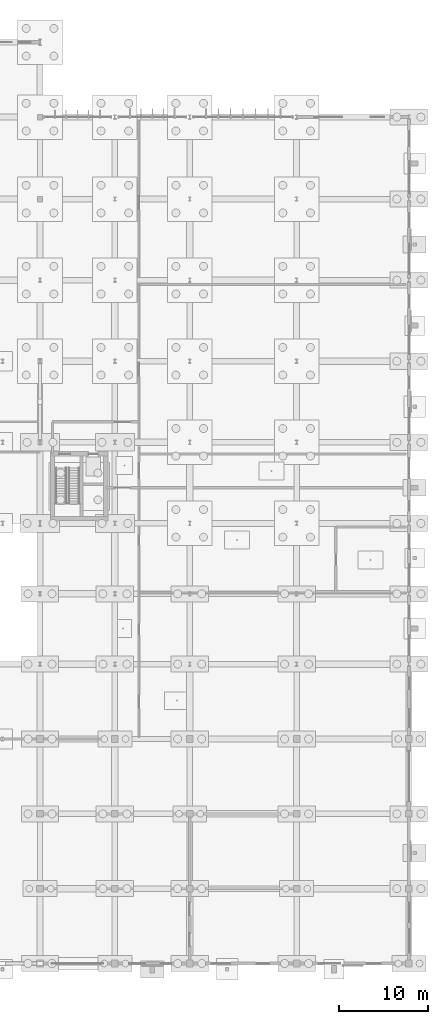
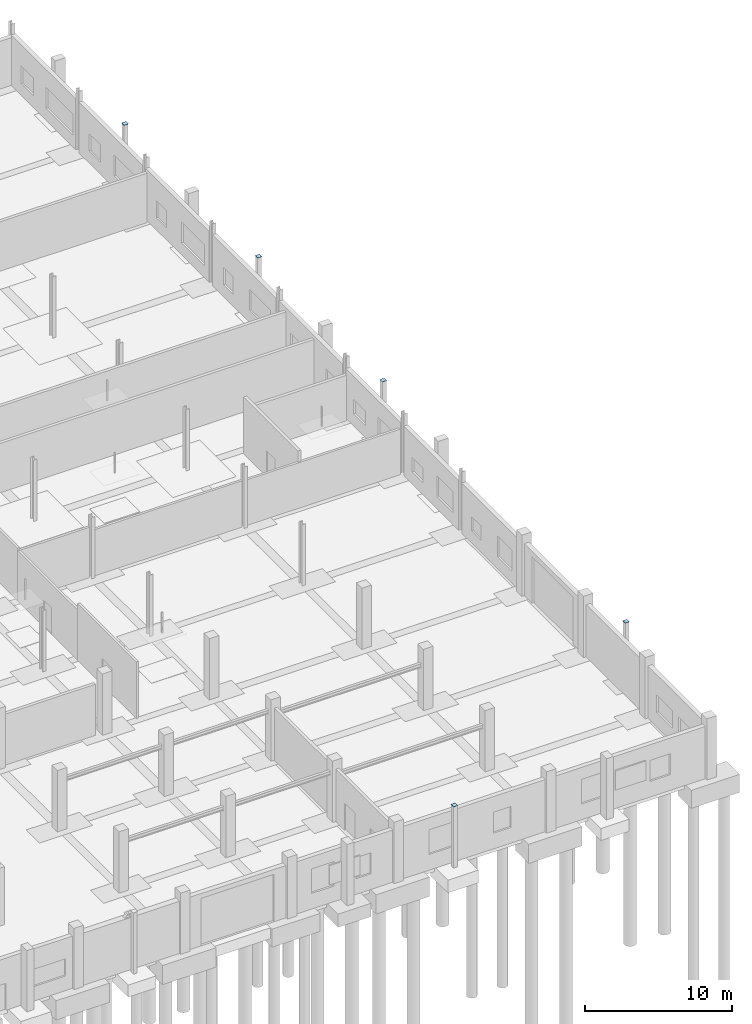
# One storey, part 79 of 119: 5 plates.
"""IFC4 building model written with IfcOpenShell, lengths in metres."""

from ifc_helpers import new_model, si_unit, derived_unit, direction, frame, origin, origin_2d, place, context, subcontext, project, spatial, rectangle, extrude, material, layer, layer_set, type_object, element, save


model = new_model("IFC4")

# Units and contexts
model_context = context("Model", 3, precision=1e-05, world=origin(), true_north=direction((0.0, 1.0)))
body_context = subcontext(model_context, "Body", "Model", "MODEL_VIEW")
ifc_project = project(units=[si_unit("LENGTHUNIT", "METRE"), si_unit("AREAUNIT", "SQUARE_METRE"), si_unit("VOLUMEUNIT", "CUBIC_METRE"), si_unit("PLANEANGLEUNIT", "RADIAN"), si_unit("MASSUNIT", "GRAM", prefix="KILO"), derived_unit("THERMALTRANSMITTANCEUNIT", [(si_unit("MASSUNIT", "GRAM", prefix="KILO"), 1), (si_unit("TIMEUNIT", "SECOND"), -3), (si_unit("THERMODYNAMICTEMPERATUREUNIT", "KELVIN"), -1)])], contexts=[model_context])

# Site, building, storey
site_placement = place(None, origin())
site = spatial("IfcSite", under=ifc_project, at=site_placement, CompositionType="ELEMENT")
building_placement = place(site_placement, origin())
building = spatial("IfcBuilding", under=site, at=building_placement, Name="Makaiwela Harbour Ferry Terminal", CompositionType="ELEMENT")
storey_placement = place(building_placement, origin())
storey = spatial("IfcBuildingStorey", under=building, at=storey_placement, Name="L00", CompositionType="ELEMENT", Elevation=0.0)

# Plates
ifc_material = material(Name="Steel ASTM A572 Grade 50", Category="steel")
ifc_layer = layer(ifc_material, 0.02197265625)
ifc_layer_set = layer_set([ifc_layer], Name="Steel ASTM A572 Grade 50")
plate_type = type_object("IfcPlateType", Name="STR-PLT-CAP2", PredefinedType="SHEET", material=ifc_layer_set)
for number, where, z_axis, x_axis, name in (
    (1, (159.60009765625, -0.64990234375, 5.10009765625), (0.0, 0.0, 1.0), (1.0, 0.0, 0.0), "Welded End Cap EC-0040"),
    (2, (180.64990234375, 12.39990234375, 5.10009765625), (0.0, 0.0, 1.0), (1.0, 0.0, 0.0), "Welded End Cap EC-0041"),
    (3, (180.64990234375, 45.5, 5.10009765625), (0.0, 0.0, 1.0), (1.0, 0.0, 0.0), "Welded End Cap EC-0042"),
    (4, (180.64990234375, 62.5, 5.10009765625), (0.0, 0.0, 1.0), (1.0, 0.0, 0.0), "Welded End Cap EC-0043"),
    (5, (180.64990234375, 80.699951171875, 5.10009765625), (0.0, 0.0, 1.0), (1.0, 0.0, 0.0), "Welded End Cap EC-0044"),
):
    element("IfcPlate", number, at=place(storey_placement, frame(where, z_axis=z_axis, x_axis=x_axis)), inside=storey, type_object=plate_type, Name=name, PredefinedType="SHEET", context=body_context, shape_type="SweptSolid", body=[
        extrude(rectangle(XDim=0.340087890625, YDim=0.340087890625, at=origin_2d()), origin(), (0.0, 0.0, 1.0), 0.02197265625),
    ])

save(model, "model.ifc")
